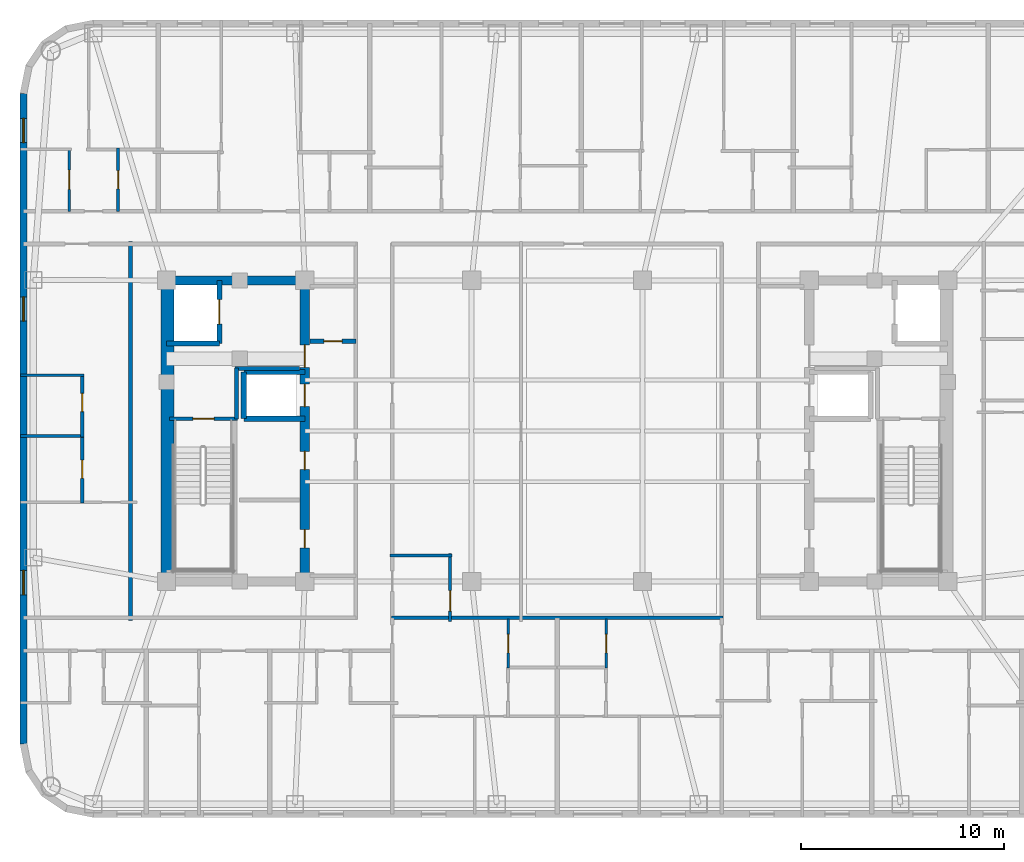
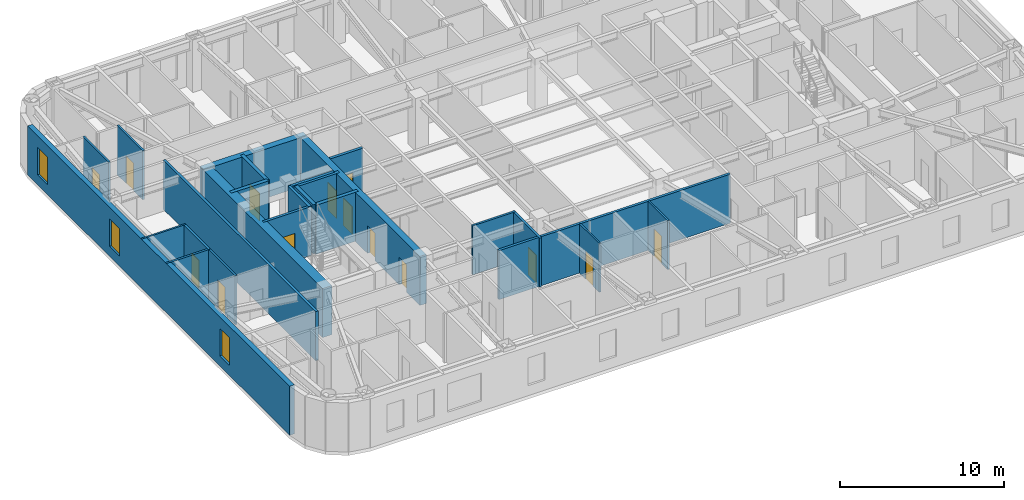
# One storey, part 4 of 11: 25 walls, 14 doors, 3 windows, 17 openings.
"""IFC4 building model written with IfcOpenShell, lengths in metres."""

from ifc_helpers import new_model, si_unit, direction, frame, frame_2d, origin, place, context, subcontext, project, spatial, rectangle, extrude, material, layer, layer_set, type_object, element, fill, save


model = new_model("IFC4")

# Units and contexts
model_context = context("Model", 3, precision=1e-05, world=origin(), true_north=direction((0.0, 1.0)))
body_context = subcontext(model_context, "Body", "Model", "MODEL_VIEW")
ifc_project = project(units=[si_unit("LENGTHUNIT", "METRE"), si_unit("AREAUNIT", "SQUARE_METRE"), si_unit("VOLUMEUNIT", "CUBIC_METRE"), si_unit("PLANEANGLEUNIT", "RADIAN"), si_unit("MASSUNIT", "GRAM", prefix="KILO")], contexts=[model_context])

# Site, building, storey
site_placement = place(None, origin())
site = spatial("IfcSite", under=ifc_project, at=site_placement, CompositionType="ELEMENT")
building_placement = place(site_placement, origin())
building = spatial("IfcBuilding", under=site, at=building_placement, Name="Voryun Gate Residences", CompositionType="ELEMENT")
storey_placement = place(building_placement, frame((0.0, 0.0, 219.699951171875)))
storey = spatial("IfcBuildingStorey", under=building, at=storey_placement, Name="L54", CompositionType="ELEMENT", Elevation=219.699951171875)

# Wall
ifc_material_1 = material(Name="Concrete C50/60", Category="concrete")
ifc_layer_1 = layer(ifc_material_1, 0.449951171875, Name="CW_CORE_450")
ifc_layer_set_1 = layer_set([ifc_layer_1], Name="Concrete C50/60")
wall_type_1 = type_object("IfcWallType", Name="CW_CORE_450", PredefinedType="SHEAR", material=ifc_layer_set_1)
wall_1_placement = place(storey_placement, frame((-19.425048828125, 7.39990234375, 0.0), z_axis=(0.0, 0.0, 1.0), x_axis=(1.0, 0.0, 0.0)))
element("IfcWall", 1, at=wall_1_placement, inside=storey, type_object=wall_type_1, Name="L54 Core shear wall CW-L54-WN", PredefinedType="SHEAR", context=body_context, shape_type="SweptSolid", body=[
    extrude(rectangle(XDim=7.25, YDim=0.449951171875, at=frame_2d((3.625, 0.0))), origin(), (0.0, 0.0, 1.0), 3.650146484375),
])

# Wall, openings, doors
wall_2_placement = place(storey_placement, frame((-12.39990234375, -7.39990234375, 0.0), z_axis=(0.0, 0.0, 1.0), x_axis=(0.0, 1.0, 0.0)))
wall_2 = element("IfcWall", 2, at=wall_2_placement, inside=storey, type_object=wall_type_1, Name="L54 Core shear wall CW-L54-WE", PredefinedType="SHEAR", context=body_context, shape_type="SweptSolid", body=[
    extrude(rectangle(XDim=14.7998046875, YDim=0.449951171875, at=frame_2d((7.39990234375, 0.0))), origin(), (0.0, 0.0, 1.0), 3.650146484375),
])
opening_1_placement = place(wall_2_placement, frame((8.60009765625, 0.0, 0.0)))
opening_1 = element("IfcOpeningElement", 3, at=opening_1_placement, cuts=wall_2, Name="Opening LD2", PredefinedType="OPENING", context=body_context, shape_type="SweptSolid", body=[
    extrude(rectangle(XDim=1.10009765625, YDim=2.050048828125, at=frame_2d((0.550048828125, 1.02490234375))), frame((0.0, 0.235107421875, 0.0), z_axis=(0.0, -1.0, 0.0), x_axis=(1.0, 0.0, 0.0)), (0.0, 0.0, 1.0), 0.469970703125),
])
opening_2_placement = place(wall_2_placement, frame((10.530029296875, 0.0, 0.0)))
opening_2 = element("IfcOpeningElement", 4, at=opening_2_placement, cuts=wall_2, Name="Opening D-FD60-2", PredefinedType="OPENING", context=body_context, shape_type="SweptSolid", body=[
    extrude(rectangle(XDim=1.10009765625, YDim=2.050048828125, at=frame_2d((0.550048828125, 1.02490234375))), frame((0.0, 0.235107421875, 0.0), z_axis=(0.0, -1.0, 0.0), x_axis=(1.0, 0.0, 0.0)), (0.0, 0.0, 1.0), 0.469970703125),
])
opening_3_placement = place(wall_2_placement, frame((1.64990234375, 0.0, 0.0)))
opening_3 = element("IfcOpeningElement", 5, at=opening_3_placement, cuts=wall_2, Name="Opening D-FD60-4", PredefinedType="OPENING", context=body_context, shape_type="SweptSolid", body=[
    extrude(rectangle(XDim=0.89990234375, YDim=2.050048828125, at=frame_2d((0.449951171875, 1.02490234375))), frame((0.0, 0.235107421875, 0.0), z_axis=(0.0, -1.0, 0.0), x_axis=(1.0, 0.0, 0.0)), (0.0, 0.0, 1.0), 0.469970703125),
])
opening_4_placement = place(wall_2_placement, frame((5.5, 0.0, 0.0)))
opening_4 = element("IfcOpeningElement", 6, at=opening_4_placement, cuts=wall_2, Name="Opening D-FD60-4", PredefinedType="OPENING", context=body_context, shape_type="SweptSolid", body=[
    extrude(rectangle(XDim=0.89990234375, YDim=2.050048828125, at=frame_2d((0.449951171875, 1.02490234375))), frame((0.0, 0.235107421875, 0.0), z_axis=(0.0, -1.0, 0.0), x_axis=(1.0, 0.0, 0.0)), (0.0, 0.0, 1.0), 0.469970703125),
])
ifc_material_2 = material(Name="Painted steel fire door", Category="steel")
door_type_1 = type_object("IfcDoorType", Name="DR_FD60_FFLOB_1100", OperationType="NOTDEFINED", PredefinedType="DOOR", material=ifc_material_2)
door_1_placement = place(opening_2_placement, origin())
door_1 = element("IfcDoor", 7, at=door_1_placement, inside=storey, type_object=door_type_1, Name="Door DR-L54-CLOB-W", OperationType="SINGLE_SWING_LEFT", OverallHeight=2.050048828125, OverallWidth=1.10009765625, PredefinedType="DOOR", context=body_context, shape_type="SweptSolid", body=[
    extrude(rectangle(XDim=1.10009765625, YDim=2.050048828125, at=frame_2d((0.550048828125, 1.02490234375))), frame((0.0, 0.02490234375, 0.0), z_axis=(0.0, -1.0, 0.0), x_axis=(1.0, 0.0, 0.0)), (0.0, 0.0, 1.0), 0.050048828125),
])
fill(opening_2, door_1)
ifc_material_3 = material(Name="Painted steel fire door", Category="steel")
door_type_2 = type_object("IfcDoorType", Name="DR_FD60_RISER_900", OperationType="NOTDEFINED", PredefinedType="DOOR", material=ifc_material_3)
door_2_placement = place(opening_3_placement, origin())
door_2 = element("IfcDoor", 8, at=door_2_placement, inside=storey, type_object=door_type_2, Name="Door DR-L54-RECW-HS", OperationType="SINGLE_SWING_LEFT", OverallHeight=2.050048828125, OverallWidth=0.89990234375, PredefinedType="DOOR", context=body_context, shape_type="SweptSolid", body=[
    extrude(rectangle(XDim=0.89990234375, YDim=2.050048828125, at=frame_2d((0.449951171875, 1.02490234375))), frame((0.0, 0.02490234375, 0.0), z_axis=(0.0, -1.0, 0.0), x_axis=(1.0, 0.0, 0.0)), (0.0, 0.0, 1.0), 0.050048828125),
])
fill(opening_3, door_2)
door_3_placement = place(opening_4_placement, origin())
door_3 = element("IfcDoor", 9, at=door_3_placement, inside=storey, type_object=door_type_2, Name="Door DR-L54-RECW-HN", OperationType="SINGLE_SWING_RIGHT", OverallHeight=2.050048828125, OverallWidth=0.89990234375, PredefinedType="DOOR", context=body_context, shape_type="SweptSolid", body=[
    extrude(rectangle(XDim=0.89990234375, YDim=2.050048828125, at=frame_2d((0.449951171875, 1.02490234375))), frame((0.0, 0.02490234375, 0.0), z_axis=(0.0, -1.0, 0.0), x_axis=(1.0, 0.0, 0.0)), (0.0, 0.0, 1.0), 0.050048828125),
])
fill(opening_4, door_3)
ifc_material_4 = material(Name="Anodised aluminium", Category="aluminium")
door_type_3 = type_object("IfcDoorType", Name="DR_LD_PASS_1100", OperationType="NOTDEFINED", PredefinedType="DOOR", material=ifc_material_4)
door_4_placement = place(opening_1_placement, origin())
door_4 = element("IfcDoor", 10, at=door_4_placement, inside=storey, type_object=door_type_3, Name="Lift EL-P7 sliding landing door L54", OperationType="SLIDING_TO_LEFT", OverallHeight=2.050048828125, OverallWidth=1.10009765625, PredefinedType="DOOR", context=body_context, shape_type="SweptSolid", body=[
    extrude(rectangle(XDim=1.10009765625, YDim=2.050048828125, at=frame_2d((0.550048828125, 1.02490234375))), frame((0.0, 0.02490234375, 0.0), z_axis=(0.0, -1.0, 0.0), x_axis=(1.0, 0.0, 0.0)), (0.0, 0.0, 1.0), 0.050048828125),
])
fill(opening_1, door_4)

# Wall
ifc_material_5 = material(Name="Concrete C60/75", Category="concrete")
ifc_layer_2 = layer(ifc_material_5, 0.64990234375, Name="CW_CORE_650")
ifc_layer_set_2 = layer_set([ifc_layer_2], Name="Concrete C60/75")
wall_type_2 = type_object("IfcWallType", Name="CW_CORE_650", PredefinedType="SHEAR", material=ifc_layer_set_2)
wall_3_placement = place(storey_placement, frame((-19.14501953125, -7.39990234375, 0.0), z_axis=(0.0, 0.0, 1.0), x_axis=(0.0, 1.0, 0.0)))
element("IfcWall", 11, at=wall_3_placement, inside=storey, type_object=wall_type_2, Name="L54 Core shear wall CW-L54-WW", PredefinedType="SHEAR", context=body_context, shape_type="SweptSolid", body=[
    extrude(rectangle(XDim=14.7998046875, YDim=0.64990234375, at=frame_2d((7.39990234375, 0.0))), origin(), (0.0, 0.0, 1.0), 3.650146484375),
])

# Wall, opening, door
ifc_material_6 = material(Name="Gypsum acoustic fireboard")
ifc_layer_3 = layer(ifc_material_6, 0.179931640625, Name="W_CORR_RATED_180")
ifc_layer_set_3 = layer_set([ifc_layer_3], Name="Gypsum acoustic fireboard")
wall_type_3 = type_object("IfcWallType", Name="W_CORR_RATED_180", PredefinedType="PARTITIONING", material=ifc_layer_set_3)
wall_4_placement = place(storey_placement, frame((-19.06005859375, 0.60009765625, 0.0), z_axis=(0.0, 0.0, 1.0), x_axis=(1.0, 0.0, 0.0)))
wall_4 = element("IfcWall", 12, at=wall_4_placement, inside=storey, type_object=wall_type_3, Name="Partition wall WP-L54-STV-W", PredefinedType="PARTITIONING", context=body_context, shape_type="SweptSolid", body=[
    extrude(rectangle(XDim=3.360107421875, YDim=0.179931640625, at=frame_2d((1.68017578125, 0.0))), origin(), (0.0, 0.0, 1.0), 3.650146484375),
])
opening_5_placement = place(wall_4_placement, frame((1.155029296875, 0.0, 0.0)))
opening_5 = element("IfcOpeningElement", 13, at=opening_5_placement, cuts=wall_4, Name="Opening D-FD60-1", PredefinedType="OPENING", context=body_context, shape_type="SweptSolid", body=[
    extrude(rectangle(XDim=1.050048828125, YDim=2.050048828125, at=frame_2d((0.52490234375, 1.02490234375))), frame((0.0, 0.099853515625, 0.0), z_axis=(0.0, -1.0, 0.0), x_axis=(1.0, 0.0, 0.0)), (0.0, 0.0, 1.0), 0.199951171875),
])
ifc_material_7 = material(Name="Painted steel fire door", Category="steel")
door_type_4 = type_object("IfcDoorType", Name="DR_FD60_STAIR_1050", OperationType="NOTDEFINED", PredefinedType="DOOR", material=ifc_material_7)
door_5_placement = place(opening_5_placement, origin())
door_5 = element("IfcDoor", 14, at=door_5_placement, inside=storey, type_object=door_type_4, Name="Door DR-L54-ST-W", OperationType="SINGLE_SWING_LEFT", OverallHeight=2.050048828125, OverallWidth=1.050048828125, PredefinedType="DOOR", context=body_context, shape_type="SweptSolid", body=[
    extrude(rectangle(XDim=1.050048828125, YDim=2.050048828125, at=frame_2d((0.52490234375, 1.02490234375))), frame((0.0, 0.02490234375, 0.0), z_axis=(0.0, -1.0, 0.0), x_axis=(1.0, 0.0, 0.0)), (0.0, 0.0, 1.0), 0.050048828125),
])
fill(opening_5, door_5)

# Walls
wall_5_placement = place(storey_placement, frame((-8.14990234375, -9.18994140625, 0.0), z_axis=(0.0, 0.0, 1.0), x_axis=(1.0, 0.0, 0.0)))
element("IfcWall", 15, at=wall_5_placement, inside=storey, type_object=wall_type_3, Name="Partition wall WP-L54-Z3S", PredefinedType="PARTITIONING", context=body_context, shape_type="SweptSolid", body=[
    extrude(rectangle(XDim=16.2998046875, YDim=0.179931640625, at=frame_2d((8.14990234375, 0.0))), origin(), (0.0, 0.0, 1.0), 3.650146484375),
])
wall_6_placement = place(storey_placement, frame((-20.969970703125, -9.31005859375, 0.0), z_axis=(0.0, 0.0, 1.0), x_axis=(0.0, 1.0, 0.0)))
element("IfcWall", 16, at=wall_6_placement, inside=storey, type_object=wall_type_3, Name="Partition wall WP-L54-WCOR", PredefinedType="PARTITIONING", context=body_context, shape_type="SweptSolid", body=[
    extrude(rectangle(XDim=18.6201171875, YDim=0.179931640625, at=frame_2d((9.31005859375, 0.0))), origin(), (0.0, 0.0, 1.0), 3.650146484375),
])

# Wall, openings, windows
ifc_material_8 = material(Name="Charcoal terracotta masonry", Category="masonry")
ifc_layer_4 = layer(ifc_material_8, 0.340087890625, Name="W_EXT_TERRACOTTA_340")
ifc_layer_set_4 = layer_set([ifc_layer_4], Name="Charcoal terracotta masonry")
wall_type_4 = type_object("IfcWallType", Name="W_EXT_TERRACOTTA_340", PredefinedType="ELEMENTEDWALL", material=ifc_layer_set_4)
wall_7_placement = place(storey_placement, frame((-26.22998046875, -15.38330078125, 0.0), z_axis=(0.0, 0.0, 1.0), x_axis=(0.0, 1.0, 0.0)))
wall_7 = element("IfcWall", 17, at=wall_7_placement, inside=storey, type_object=wall_type_4, Name="Exterior wall WEXT-L54-06", PredefinedType="ELEMENTEDWALL", context=body_context, shape_type="SweptSolid", body=[
    extrude(rectangle(XDim=31.966552734375, YDim=0.340087890625, at=frame_2d((15.9833984375, 0.0))), origin(), (0.0, 0.0, 1.0), 3.650146484375),
])
opening_6_placement = place(wall_7_placement, frame((29.549560546875, 0.0, 0.75)))
opening_6 = element("IfcOpeningElement", 18, at=opening_6_placement, cuts=wall_7, Name="Opening WN6", PredefinedType="OPENING", context=body_context, shape_type="SweptSolid", body=[
    extrude(rectangle(XDim=1.199951171875, YDim=2.050048828125, at=frame_2d((0.60009765625, 1.02490234375))), frame((0.0, 0.179931640625, 0.0), z_axis=(0.0, -1.0, 0.0), x_axis=(1.0, 0.0, 0.0)), (0.0, 0.0, 1.0), 0.360107421875),
])
opening_7_placement = place(wall_7_placement, frame((20.7783203125, 0.0, 0.75)))
opening_7 = element("IfcOpeningElement", 19, at=opening_7_placement, cuts=wall_7, Name="Opening WN6", PredefinedType="OPENING", context=body_context, shape_type="SweptSolid", body=[
    extrude(rectangle(XDim=1.199951171875, YDim=2.050048828125, at=frame_2d((0.60009765625, 1.02490234375))), frame((0.0, 0.179931640625, 0.0), z_axis=(0.0, -1.0, 0.0), x_axis=(1.0, 0.0, 0.0)), (0.0, 0.0, 1.0), 0.360107421875),
])
opening_8_placement = place(wall_7_placement, frame((7.3232421875, 0.0, 0.75)))
opening_8 = element("IfcOpeningElement", 20, at=opening_8_placement, cuts=wall_7, Name="Opening WN6", PredefinedType="OPENING", context=body_context, shape_type="SweptSolid", body=[
    extrude(rectangle(XDim=1.199951171875, YDim=2.050048828125, at=frame_2d((0.60009765625, 1.02490234375))), frame((0.0, 0.179931640625, 0.0), z_axis=(0.0, -1.0, 0.0), x_axis=(1.0, 0.0, 0.0)), (0.0, 0.0, 1.0), 0.360107421875),
])
ifc_material_9 = material(Name="Laminated low-E glass", Category="glass")
window_type = type_object("IfcWindowType", Name="WN_POD_SLOT_1200", PartitioningType="SINGLE_PANEL", PredefinedType="WINDOW", material=ifc_material_9)
window_1_placement = place(opening_6_placement, origin())
window_1 = element("IfcWindow", 21, at=window_1_placement, inside=storey, type_object=window_type, Name="Window WN-L54-DWFIX-01", OverallHeight=2.050048828125, OverallWidth=1.199951171875, PartitioningType="SINGLE_PANEL", PredefinedType="WINDOW", context=body_context, shape_type="SweptSolid", body=[
    extrude(rectangle(XDim=1.199951171875, YDim=2.050048828125, at=frame_2d((0.60009765625, 1.02490234375))), frame((0.0, 0.030029296875, 0.0), z_axis=(0.0, -1.0, 0.0), x_axis=(1.0, 0.0, 0.0)), (0.0, 0.0, 1.0), 0.06005859375),
])
fill(opening_6, window_1)
window_2_placement = place(opening_7_placement, origin())
window_2 = element("IfcWindow", 22, at=window_2_placement, inside=storey, type_object=window_type, Name="Window WN-L54-DWFIX-27", OverallHeight=2.050048828125, OverallWidth=1.199951171875, PartitioningType="SINGLE_PANEL", PredefinedType="WINDOW", context=body_context, shape_type="SweptSolid", body=[
    extrude(rectangle(XDim=1.199951171875, YDim=2.050048828125, at=frame_2d((0.60009765625, 1.02490234375))), frame((0.0, 0.030029296875, 0.0), z_axis=(0.0, -1.0, 0.0), x_axis=(1.0, 0.0, 0.0)), (0.0, 0.0, 1.0), 0.06005859375),
])
fill(opening_7, window_2)
window_3_placement = place(opening_8_placement, origin())
window_3 = element("IfcWindow", 23, at=window_3_placement, inside=storey, type_object=window_type, Name="Window WN-L54-DWFIX-28", OverallHeight=2.050048828125, OverallWidth=1.199951171875, PartitioningType="SINGLE_PANEL", PredefinedType="WINDOW", context=body_context, shape_type="SweptSolid", body=[
    extrude(rectangle(XDim=1.199951171875, YDim=2.050048828125, at=frame_2d((0.60009765625, 1.02490234375))), frame((0.0, 0.030029296875, 0.0), z_axis=(0.0, -1.0, 0.0), x_axis=(1.0, 0.0, 0.0)), (0.0, 0.0, 1.0), 0.06005859375),
])
fill(opening_8, window_3)

# Walls
ifc_material_10 = material(Name="Concrete C40/50", Category="concrete")
ifc_layer_5 = layer(ifc_material_10, 0.199951171875, Name="W_FF_LOBBY_200")
ifc_layer_set_5 = layer_set([ifc_layer_5], Name="Concrete C40/50")
wall_type_5 = type_object("IfcWallType", Name="W_FF_LOBBY_200", PredefinedType="PARTITIONING", material=ifc_layer_set_5)
wall_8_placement = place(storey_placement, frame((-15.760009765625, 0.580078125, 0.0), z_axis=(0.0, 0.0, 1.0), x_axis=(0.0, 1.0, 0.0)))
element("IfcWall", 24, at=wall_8_placement, inside=storey, type_object=wall_type_5, Name="Partition wall WP-L54-FFP0-W", PredefinedType="PARTITIONING", context=body_context, shape_type="SweptSolid", body=[
    extrude(rectangle(XDim=2.52001953125, YDim=0.199951171875, at=frame_2d((1.260009765625, 0.0))), origin(), (0.0, 0.0, 1.0), 3.650146484375),
])
wall_9_placement = place(storey_placement, frame((-15.820068359375, 3.06005859375, 0.0), z_axis=(0.0, 0.0, 1.0), x_axis=(1.0, 0.0, 0.0)))
element("IfcWall", 25, at=wall_9_placement, inside=storey, type_object=wall_type_5, Name="Partition wall WP-L54-FFPS-W", PredefinedType="PARTITIONING", context=body_context, shape_type="SweptSolid", body=[
    extrude(rectangle(XDim=3.16015625, YDim=0.199951171875, at=frame_2d((1.580078125, 0.0))), origin(), (0.0, 0.0, 1.0), 3.650146484375),
])

# Wall, opening, door
wall_10_placement = place(storey_placement, frame((-12.14990234375, 4.409912109375, 0.0), z_axis=(0.0, 0.0, 1.0), x_axis=(1.0, 0.0, 0.0)))
wall_10 = element("IfcWall", 26, at=wall_10_placement, inside=storey, type_object=wall_type_5, Name="Partition wall WP-L54-CSFLKS-W", PredefinedType="PARTITIONING", context=body_context, shape_type="SweptSolid", body=[
    extrude(rectangle(XDim=2.27001953125, YDim=0.199951171875, at=frame_2d((1.135009765625, 0.0))), origin(), (0.0, 0.0, 1.0), 3.650146484375),
])
opening_9_placement = place(wall_10_placement, frame((0.68505859375, 0.0, 0.0)))
opening_9 = element("IfcOpeningElement", 27, at=opening_9_placement, cuts=wall_10, Name="Opening D-FD60-4", PredefinedType="OPENING", context=body_context, shape_type="SweptSolid", body=[
    extrude(rectangle(XDim=0.89990234375, YDim=2.050048828125, at=frame_2d((0.449951171875, 1.02490234375))), frame((0.0, 0.110107421875, 0.0), z_axis=(0.0, -1.0, 0.0), x_axis=(1.0, 0.0, 0.0)), (0.0, 0.0, 1.0), 0.219970703125),
])
door_6_placement = place(opening_9_placement, origin())
door_6 = element("IfcDoor", 28, at=door_6_placement, inside=storey, type_object=door_type_2, Name="Door DR-L54-CSFLK-W", OperationType="SINGLE_SWING_LEFT", OverallHeight=2.050048828125, OverallWidth=0.89990234375, PredefinedType="DOOR", context=body_context, shape_type="SweptSolid", body=[
    extrude(rectangle(XDim=0.89990234375, YDim=2.050048828125, at=frame_2d((0.449951171875, 1.02490234375))), frame((0.0, 0.02490234375, 0.0), z_axis=(0.0, -1.0, 0.0), x_axis=(1.0, 0.0, 0.0)), (0.0, 0.0, 1.0), 0.050048828125),
])
fill(opening_9, door_6)

# Wall
ifc_material_11 = material(Name="Concrete C50/60", Category="concrete")
ifc_layer_6 = layer(ifc_material_11, 0.25, Name="W_SHAFT_RC250")
ifc_layer_set_6 = layer_set([ifc_layer_6], Name="Concrete C50/60")
wall_type_6 = type_object("IfcWallType", Name="W_SHAFT_RC250", PredefinedType="SOLIDWALL", material=ifc_layer_set_6)
wall_11_placement = place(storey_placement, frame((-19.199951171875, 4.300048828125, 0.0), z_axis=(0.0, 0.0, 1.0), x_axis=(1.0, 0.0, 0.0)))
element("IfcWall", 29, at=wall_11_placement, inside=storey, type_object=wall_type_6, Name="Lift shaft wall WSH-L54-EL-FF-W1-S", PredefinedType="SOLIDWALL", context=body_context, shape_type="SweptSolid", body=[
    extrude(rectangle(XDim=2.599853515625, YDim=0.25, at=frame_2d((1.2998046875, 0.0))), origin(), (0.0, 0.0, 1.0), 3.650146484375),
])

# Wall, opening, door
wall_12_placement = place(storey_placement, frame((-16.60009765625, 4.300048828125, 0.0), z_axis=(0.0, 0.0, 1.0), x_axis=(0.0, 1.0, 0.0)))
wall_12 = element("IfcWall", 30, at=wall_12_placement, inside=storey, type_object=wall_type_6, Name="Lift shaft wall WSH-L54-EL-FF-W1-E", PredefinedType="SOLIDWALL", context=body_context, shape_type="SweptSolid", body=[
    extrude(rectangle(XDim=3.099853515625, YDim=0.25, at=frame_2d((1.5498046875, 0.0))), origin(), (0.0, 0.0, 1.0), 3.650146484375),
])
opening_10_placement = place(wall_12_placement, frame((0.949951171875, 0.0, 0.0)))
opening_10 = element("IfcOpeningElement", 31, at=opening_10_placement, cuts=wall_12, Name="Opening LD1", PredefinedType="OPENING", context=body_context, shape_type="SweptSolid", body=[
    extrude(rectangle(XDim=1.199951171875, YDim=2.050048828125, at=frame_2d((0.60009765625, 1.02490234375))), frame((0.0, 0.135009765625, 0.0), z_axis=(0.0, -1.0, 0.0), x_axis=(1.0, 0.0, 0.0)), (0.0, 0.0, 1.0), 0.27001953125),
])
ifc_material_12 = material(Name="Anodised aluminium", Category="aluminium")
door_type_5 = type_object("IfcDoorType", Name="DR_LD_FF_1200", OperationType="NOTDEFINED", PredefinedType="DOOR", material=ifc_material_12)
door_7_placement = place(opening_10_placement, origin())
door_7 = element("IfcDoor", 32, at=door_7_placement, inside=storey, type_object=door_type_5, Name="Lift EL-FF-W1 sliding landing door L54", OperationType="SLIDING_TO_LEFT", OverallHeight=2.050048828125, OverallWidth=1.199951171875, PredefinedType="DOOR", context=body_context, shape_type="SweptSolid", body=[
    extrude(rectangle(XDim=1.199951171875, YDim=2.050048828125, at=frame_2d((0.60009765625, 1.02490234375))), frame((0.0, 0.02490234375, 0.0), z_axis=(0.0, -1.0, 0.0), x_axis=(1.0, 0.0, 0.0)), (0.0, 0.0, 1.0), 0.050048828125),
])
fill(opening_10, door_7)

# Walls
for number, where, z_axis, x_axis, name in (
    (33, (-15.39990234375, 0.60009765625, 0.0), (0.0, 0.0, 1.0), (1.0, 0.0, 0.0), "Lift shaft wall WSH-L54-EL-P7-S"),
    (34, (-12.39990234375, 2.89990234375, 0.0), (0.0, 0.0, 1.0), (-1.0, 0.0, 0.0), "Lift shaft wall WSH-L54-EL-P7-N"),
):
    element("IfcWall", number, at=place(storey_placement, frame(where, z_axis=z_axis, x_axis=x_axis)), inside=storey, type_object=wall_type_6, Name=name, PredefinedType="SOLIDWALL", context=body_context, shape_type="SweptSolid", body=[
        extrude(rectangle(XDim=3.0, YDim=0.25, at=frame_2d((1.5, 0.0))), origin(), (0.0, 0.0, 1.0), 3.650146484375),
    ])
wall_13_placement = place(storey_placement, frame((-15.39990234375, 2.89990234375, 0.0), z_axis=(0.0, 0.0, 1.0), x_axis=(0.0, -1.0, 0.0)))
element("IfcWall", 35, at=wall_13_placement, inside=storey, type_object=wall_type_6, Name="Lift shaft wall WSH-L54-EL-P7-W", PredefinedType="SOLIDWALL", context=body_context, shape_type="SweptSolid", body=[
    extrude(rectangle(XDim=2.2998046875, YDim=0.25, at=frame_2d((1.14990234375, 0.0))), origin(), (0.0, 0.0, 1.0), 3.650146484375),
])

# Wall, opening, door
ifc_material_13 = material(Name="Gypsum acoustic partition")
ifc_layer_7 = layer(ifc_material_13, 0.125, Name="W_UNIT_PART_125")
ifc_layer_set_7 = layer_set([ifc_layer_7], Name="Gypsum acoustic partition")
wall_type_7 = type_object("IfcWallType", Name="W_UNIT_PART_125", PredefinedType="PARTITIONING", material=ifc_layer_set_7)
wall_14_placement = place(storey_placement, frame((-23.987060546875, 10.780029296875, 0.0), z_axis=(0.0, 0.0, 1.0), x_axis=(0.0, 1.0, 0.0)))
wall_14 = element("IfcWall", 36, at=wall_14_placement, inside=storey, type_object=wall_type_7, Name="Partition wall WP-L54-N1-IVK", PredefinedType="PARTITIONING", context=body_context, shape_type="SweptSolid", body=[
    extrude(rectangle(XDim=3.138916015625, YDim=0.125, at=frame_2d((1.5693359375, 0.0))), origin(), (0.0, 0.0, 1.0), 3.650146484375),
])
opening_11_placement = place(wall_14_placement, frame((1.094482421875, 0.0, 0.0)))
opening_11 = element("IfcOpeningElement", 37, at=opening_11_placement, cuts=wall_14, Name="Opening D-INT-1", PredefinedType="OPENING", context=body_context, shape_type="SweptSolid", body=[
    extrude(rectangle(XDim=0.949951171875, YDim=2.050048828125, at=frame_2d((0.47509765625, 1.02490234375))), frame((0.0, 0.072509765625, 0.0), z_axis=(0.0, -1.0, 0.0), x_axis=(1.0, 0.0, 0.0)), (0.0, 0.0, 1.0), 0.14501953125),
])
ifc_material_14 = material(Name="Architectural oak veneer")
door_type_6 = type_object("IfcDoorType", Name="DR_INT_ROOM_950", OperationType="NOTDEFINED", PredefinedType="DOOR", material=ifc_material_14)
door_8_placement = place(opening_11_placement, origin())
door_8 = element("IfcDoor", 38, at=door_8_placement, inside=storey, type_object=door_type_6, Name="Door DR-L54-N1-DK", OperationType="SINGLE_SWING_LEFT", OverallHeight=2.050048828125, OverallWidth=0.949951171875, PredefinedType="DOOR", context=body_context, shape_type="SweptSolid", body=[
    extrude(rectangle(XDim=0.949951171875, YDim=2.050048828125, at=frame_2d((0.47509765625, 1.02490234375))), frame((0.0, 0.02490234375, 0.0), z_axis=(0.0, -1.0, 0.0), x_axis=(1.0, 0.0, 0.0)), (0.0, 0.0, 1.0), 0.050048828125),
])
fill(opening_11, door_8)

wall_15_placement = place(storey_placement, frame((-2.409912109375, -11.659912109375, 0.0), z_axis=(0.0, 0.0, 1.0), x_axis=(0.0, 1.0, 0.0)))
wall_15 = element("IfcWall", 39, at=wall_15_placement, inside=storey, type_object=wall_type_7, Name="Partition wall WP-L54-SC1-VK1", PredefinedType="PARTITIONING", context=body_context, shape_type="SweptSolid", body=[
    extrude(rectangle(XDim=2.409912109375, YDim=0.125, at=frame_2d((1.205078125, 0.0))), origin(), (0.0, 0.0, 1.0), 3.650146484375),
])
opening_12_placement = place(wall_15_placement, frame((0.7548828125, 0.0, 0.0)))
opening_12 = element("IfcOpeningElement", 40, at=opening_12_placement, cuts=wall_15, Name="Opening D-INT-2", PredefinedType="OPENING", context=body_context, shape_type="SweptSolid", body=[
    extrude(rectangle(XDim=0.89990234375, YDim=2.050048828125, at=frame_2d((0.449951171875, 1.02490234375))), frame((0.0, 0.072509765625, 0.0), z_axis=(0.0, -1.0, 0.0), x_axis=(1.0, 0.0, 0.0)), (0.0, 0.0, 1.0), 0.14501953125),
])
ifc_material_15 = material(Name="Architectural oak veneer")
door_type_7 = type_object("IfcDoorType", Name="DR_INT_BATH_900", OperationType="NOTDEFINED", PredefinedType="DOOR", material=ifc_material_15)
door_9_placement = place(opening_12_placement, origin())
door_9 = element("IfcDoor", 41, at=door_9_placement, inside=storey, type_object=door_type_7, Name="Door DR-L54-SC1-DK", OperationType="SINGLE_SWING_LEFT", OverallHeight=2.050048828125, OverallWidth=0.89990234375, PredefinedType="DOOR", context=body_context, shape_type="SweptSolid", body=[
    extrude(rectangle(XDim=0.89990234375, YDim=2.050048828125, at=frame_2d((0.449951171875, 1.02490234375))), frame((0.0, 0.02490234375, 0.0), z_axis=(0.0, -1.0, 0.0), x_axis=(1.0, 0.0, 0.0)), (0.0, 0.0, 1.0), 0.050048828125),
])
fill(opening_12, door_9)

wall_16_placement = place(storey_placement, frame((2.409912109375, -11.659912109375, 0.0), z_axis=(0.0, 0.0, 1.0), x_axis=(0.0, 1.0, 0.0)))
wall_16 = element("IfcWall", 42, at=wall_16_placement, inside=storey, type_object=wall_type_7, Name="Partition wall WP-L54-SC2-VK1", PredefinedType="PARTITIONING", context=body_context, shape_type="SweptSolid", body=[
    extrude(rectangle(XDim=2.409912109375, YDim=0.125, at=frame_2d((1.205078125, 0.0))), origin(), (0.0, 0.0, 1.0), 3.650146484375),
])
opening_13_placement = place(wall_16_placement, frame((0.7548828125, 0.0, 0.0)))
opening_13 = element("IfcOpeningElement", 43, at=opening_13_placement, cuts=wall_16, Name="Opening D-INT-2", PredefinedType="OPENING", context=body_context, shape_type="SweptSolid", body=[
    extrude(rectangle(XDim=0.89990234375, YDim=2.050048828125, at=frame_2d((0.449951171875, 1.02490234375))), frame((0.0, 0.072509765625, 0.0), z_axis=(0.0, -1.0, 0.0), x_axis=(1.0, 0.0, 0.0)), (0.0, 0.0, 1.0), 0.14501953125),
])
door_10_placement = place(opening_13_placement, origin())
door_10 = element("IfcDoor", 44, at=door_10_placement, inside=storey, type_object=door_type_7, Name="Door DR-L54-SC2-DK", OperationType="SINGLE_SWING_LEFT", OverallHeight=2.050048828125, OverallWidth=0.89990234375, PredefinedType="DOOR", context=body_context, shape_type="SweptSolid", body=[
    extrude(rectangle(XDim=0.89990234375, YDim=2.050048828125, at=frame_2d((0.449951171875, 1.02490234375))), frame((0.0, 0.02490234375, 0.0), z_axis=(0.0, -1.0, 0.0), x_axis=(1.0, 0.0, 0.0)), (0.0, 0.0, 1.0), 0.050048828125),
])
fill(opening_13, door_10)

# Wall
wall_17_placement = place(storey_placement, frame((-26.3798828125, 2.739990234375, 0.0), z_axis=(0.0, 0.0, 1.0), x_axis=(1.0, 0.0, 0.0)))
element("IfcWall", 45, at=wall_17_placement, inside=storey, type_object=wall_type_7, Name="Partition wall WP-L54-W1-HZ1", PredefinedType="PARTITIONING", context=body_context, shape_type="SweptSolid", body=[
    extrude(rectangle(XDim=3.119873046875, YDim=0.125, at=frame_2d((1.56005859375, 0.0))), origin(), (0.0, 0.0, 1.0), 3.650146484375),
])

# Wall, opening, door
ifc_material_16 = material(Name="Gypsum moisture-resistant partition")
ifc_layer_8 = layer(ifc_material_16, 0.14990234375, Name="W_WET_PLUMB_150")
ifc_layer_set_8 = layer_set([ifc_layer_8], Name="Gypsum moisture-resistant partition")
wall_type_8 = type_object("IfcWallType", Name="W_WET_PLUMB_150", PredefinedType="PLUMBINGWALL", material=ifc_layer_set_8)
wall_18_placement = place(storey_placement, frame((-5.260009765625, -9.3701171875, 0.0), z_axis=(0.0, 0.0, 1.0), x_axis=(0.0, 1.0, 0.0)))
wall_18 = element("IfcWall", 46, at=wall_18_placement, inside=storey, type_object=wall_type_8, Name="Partition wall WP-L54-CMWCX", PredefinedType="PLUMBINGWALL", context=body_context, shape_type="SweptSolid", body=[
    extrude(rectangle(XDim=3.35009765625, YDim=0.14990234375, at=frame_2d((1.675048828125, 0.0))), origin(), (0.0, 0.0, 1.0), 3.650146484375),
])
opening_14_placement = place(wall_18_placement, frame((0.514892578125, 0.0, 0.0)))
opening_14 = element("IfcOpeningElement", 47, at=opening_14_placement, cuts=wall_18, Name="Opening D-AWC-1", PredefinedType="OPENING", context=body_context, shape_type="SweptSolid", body=[
    extrude(rectangle(XDim=1.0, YDim=2.050048828125, at=frame_2d((0.5, 1.02490234375))), frame((0.0, 0.0849609375, 0.0), z_axis=(0.0, -1.0, 0.0), x_axis=(1.0, 0.0, 0.0)), (0.0, 0.0, 1.0), 0.169921875),
])
ifc_material_17 = material(Name="Architectural oak veneer")
door_type_8 = type_object("IfcDoorType", Name="DR_ACC_WC_1000", OperationType="NOTDEFINED", PredefinedType="DOOR", material=ifc_material_17)
door_11_placement = place(opening_14_placement, origin())
door_11 = element("IfcDoor", 48, at=door_11_placement, inside=storey, type_object=door_type_8, Name="Door DR-L54-CMWC", OperationType="SINGLE_SWING_LEFT", OverallHeight=2.050048828125, OverallWidth=1.0, PredefinedType="DOOR", context=body_context, shape_type="SweptSolid", body=[
    extrude(rectangle(XDim=1.0, YDim=2.050048828125, at=frame_2d((0.5, 1.02490234375))), frame((0.0, 0.02490234375, 0.0), z_axis=(0.0, -1.0, 0.0), x_axis=(1.0, 0.0, 0.0)), (0.0, 0.0, 1.0), 0.050048828125),
])
fill(opening_14, door_11)

# Wall
wall_19_placement = place(storey_placement, frame((-8.2099609375, -6.1201171875, 0.0), z_axis=(0.0, 0.0, 1.0), x_axis=(1.0, 0.0, 0.0)))
element("IfcWall", 49, at=wall_19_placement, inside=storey, type_object=wall_type_8, Name="Partition wall WP-L54-CMWCY", PredefinedType="PLUMBINGWALL", context=body_context, shape_type="SweptSolid", body=[
    extrude(rectangle(XDim=3.050048828125, YDim=0.14990234375, at=frame_2d((1.52490234375, 0.0))), origin(), (0.0, 0.0, 1.0), 3.650146484375),
])

# Wall, opening, door
wall_20_placement = place(storey_placement, frame((-21.580078125, 10.780029296875, 0.0), z_axis=(0.0, 0.0, 1.0), x_axis=(0.0, 1.0, 0.0)))
wall_20 = element("IfcWall", 50, at=wall_20_placement, inside=storey, type_object=wall_type_8, Name="Partition wall WP-L54-N1-IVB", PredefinedType="PLUMBINGWALL", context=body_context, shape_type="SweptSolid", body=[
    extrude(rectangle(XDim=3.138916015625, YDim=0.14990234375, at=frame_2d((1.5693359375, 0.0))), origin(), (0.0, 0.0, 1.0), 3.650146484375),
])
opening_15_placement = place(wall_20_placement, frame((1.119384765625, 0.0, 0.0)))
opening_15 = element("IfcOpeningElement", 51, at=opening_15_placement, cuts=wall_20, Name="Opening D-INT-2", PredefinedType="OPENING", context=body_context, shape_type="SweptSolid", body=[
    extrude(rectangle(XDim=0.89990234375, YDim=2.050048828125, at=frame_2d((0.449951171875, 1.02490234375))), frame((0.0, 0.0849609375, 0.0), z_axis=(0.0, -1.0, 0.0), x_axis=(1.0, 0.0, 0.0)), (0.0, 0.0, 1.0), 0.169921875),
])
door_12_placement = place(opening_15_placement, origin())
door_12 = element("IfcDoor", 52, at=door_12_placement, inside=storey, type_object=door_type_7, Name="Door DR-L54-N1-DB", OperationType="SINGLE_SWING_RIGHT", OverallHeight=2.050048828125, OverallWidth=0.89990234375, PredefinedType="DOOR", context=body_context, shape_type="SweptSolid", body=[
    extrude(rectangle(XDim=0.89990234375, YDim=2.050048828125, at=frame_2d((0.449951171875, 1.02490234375))), frame((0.0, 0.02490234375, 0.0), z_axis=(0.0, -1.0, 0.0), x_axis=(1.0, 0.0, 0.0)), (0.0, 0.0, 1.0), 0.050048828125),
])
fill(opening_15, door_12)

# Wall
wall_21_placement = place(storey_placement, frame((-26.3798828125, -0.260009765625, 0.0), z_axis=(0.0, 0.0, 1.0), x_axis=(1.0, 0.0, 0.0)))
element("IfcWall", 53, at=wall_21_placement, inside=storey, type_object=wall_type_8, Name="Partition wall WP-L54-W1-HZ2", PredefinedType="PLUMBINGWALL", context=body_context, shape_type="SweptSolid", body=[
    extrude(rectangle(XDim=3.119873046875, YDim=0.14990234375, at=frame_2d((1.56005859375, 0.0))), origin(), (0.0, 0.0, 1.0), 3.650146484375),
])

# Wall, opening, door
wall_22_placement = place(storey_placement, frame((-23.340087890625, -3.550048828125, 0.0), z_axis=(0.0, 0.0, 1.0), x_axis=(0.0, 1.0, 0.0)))
wall_22 = element("IfcWall", 54, at=wall_22_placement, inside=storey, type_object=wall_type_8, Name="Partition wall WP-L54-W1-VKB1", PredefinedType="PLUMBINGWALL", context=body_context, shape_type="SweptSolid", body=[
    extrude(rectangle(XDim=3.330078125, YDim=0.14990234375, at=frame_2d((1.6650390625, 0.0))), origin(), (0.0, 0.0, 1.0), 3.650146484375),
])
opening_16_placement = place(wall_22_placement, frame((1.215087890625, 0.0, 0.0)))
opening_16 = element("IfcOpeningElement", 55, at=opening_16_placement, cuts=wall_22, Name="Opening D-INT-2", PredefinedType="OPENING", context=body_context, shape_type="SweptSolid", body=[
    extrude(rectangle(XDim=0.89990234375, YDim=2.050048828125, at=frame_2d((0.449951171875, 1.02490234375))), frame((0.0, 0.0849609375, 0.0), z_axis=(0.0, -1.0, 0.0), x_axis=(1.0, 0.0, 0.0)), (0.0, 0.0, 1.0), 0.169921875),
])
door_13_placement = place(opening_16_placement, origin())
door_13 = element("IfcDoor", 56, at=door_13_placement, inside=storey, type_object=door_type_7, Name="Door DR-L54-W1-DB", OperationType="SINGLE_SWING_LEFT", OverallHeight=2.050048828125, OverallWidth=0.89990234375, PredefinedType="DOOR", context=body_context, shape_type="SweptSolid", body=[
    extrude(rectangle(XDim=0.89990234375, YDim=2.050048828125, at=frame_2d((0.449951171875, 1.02490234375))), frame((0.0, 0.02490234375, 0.0), z_axis=(0.0, -1.0, 0.0), x_axis=(1.0, 0.0, 0.0)), (0.0, 0.0, 1.0), 0.050048828125),
])
fill(opening_16, door_13)

wall_23_placement = place(storey_placement, frame((-23.340087890625, -0.300048828125, 0.0), z_axis=(0.0, 0.0, 1.0), x_axis=(0.0, 1.0, 0.0)))
wall_23 = element("IfcWall", 57, at=wall_23_placement, inside=storey, type_object=wall_type_8, Name="Partition wall WP-L54-W1-VKB2", PredefinedType="PLUMBINGWALL", context=body_context, shape_type="SweptSolid", body=[
    extrude(rectangle(XDim=3.080078125, YDim=0.14990234375, at=frame_2d((1.5400390625, 0.0))), origin(), (0.0, 0.0, 1.0), 3.650146484375),
])
opening_17_placement = place(wall_23_placement, frame((1.243896484375, 0.0, 0.0)))
opening_17 = element("IfcOpeningElement", 58, at=opening_17_placement, cuts=wall_23, Name="Opening D-INT-2", PredefinedType="OPENING", context=body_context, shape_type="SweptSolid", body=[
    extrude(rectangle(XDim=0.89990234375, YDim=2.050048828125, at=frame_2d((0.449951171875, 1.02490234375))), frame((0.0, 0.0849609375, 0.0), z_axis=(0.0, -1.0, 0.0), x_axis=(1.0, 0.0, 0.0)), (0.0, 0.0, 1.0), 0.169921875),
])
door_14_placement = place(opening_17_placement, origin())
door_14 = element("IfcDoor", 59, at=door_14_placement, inside=storey, type_object=door_type_7, Name="Door DR-L54-W1-DK", OperationType="SINGLE_SWING_RIGHT", OverallHeight=2.050048828125, OverallWidth=0.89990234375, PredefinedType="DOOR", context=body_context, shape_type="SweptSolid", body=[
    extrude(rectangle(XDim=0.89990234375, YDim=2.050048828125, at=frame_2d((0.449951171875, 1.02490234375))), frame((0.0, 0.02490234375, 0.0), z_axis=(0.0, -1.0, 0.0), x_axis=(1.0, 0.0, 0.0)), (0.0, 0.0, 1.0), 0.050048828125),
])
fill(opening_17, door_14)

save(model, "model.ifc")
